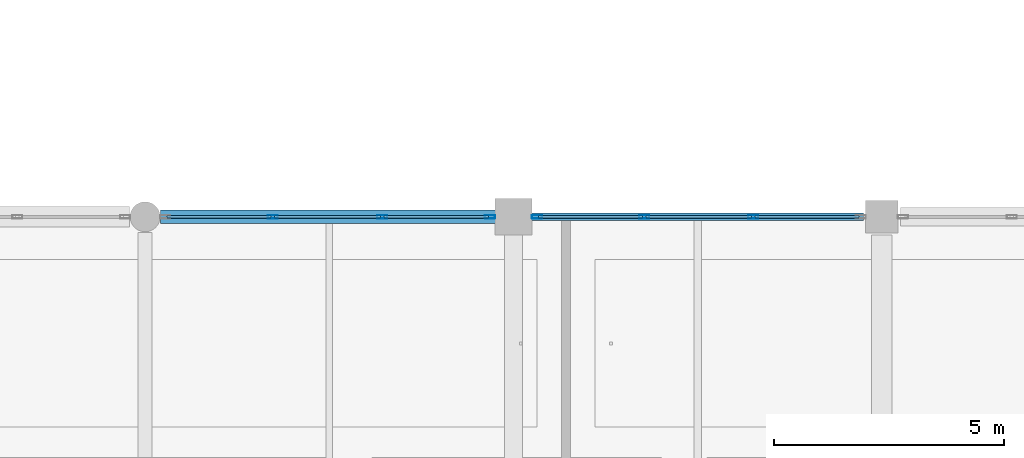
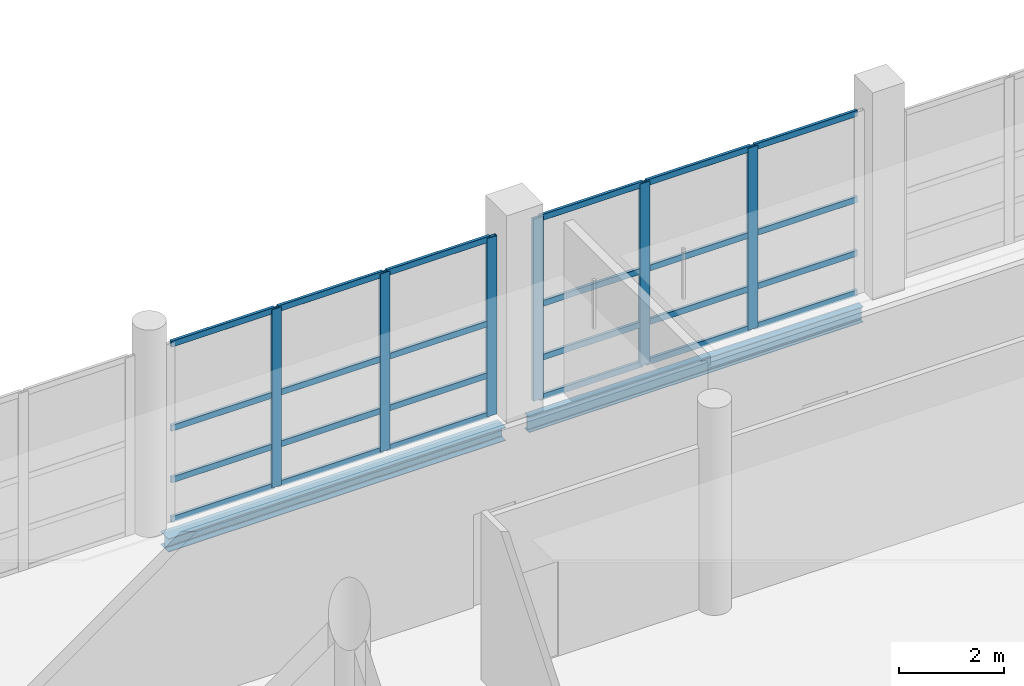
# One storey, part 30 of 141: 30 members, 2 beams, 2 elements without a shape of their own.
"""IFC4 building model written with IfcOpenShell, lengths in metres."""

from ifc_helpers import new_model, si_unit, direction, frame, origin, origin_2d, place, context, subcontext, project, spatial, hollow_rectangle, i_section, extrude, material, material_profile, profile_set, type_object, element, aggregate, save


model = new_model("IFC4")

# Units and contexts
model_context = context("Model", 3, precision=1e-05, world=origin(), true_north=direction((0.0, 1.0)))
body_context = subcontext(model_context, "Body", "Model", "MODEL_VIEW")
ifc_project = project(units=[si_unit("LENGTHUNIT", "METRE"), si_unit("AREAUNIT", "SQUARE_METRE"), si_unit("VOLUMEUNIT", "CUBIC_METRE"), si_unit("PLANEANGLEUNIT", "RADIAN"), si_unit("MASSUNIT", "GRAM", prefix="KILO")], contexts=[model_context])

# Site, building, storey
site_placement = place(None, origin())
site = spatial("IfcSite", under=ifc_project, at=site_placement, CompositionType="ELEMENT")
building_placement = place(site_placement, origin())
building = spatial("IfcBuilding", under=site, at=building_placement, Name="Khelvaren Railside Concert Hall", CompositionType="ELEMENT")
storey_placement = place(building_placement, frame((0.0, 0.0, 10.199951171875)))
storey = spatial("IfcBuildingStorey", under=building, at=storey_placement, Name="L02", CompositionType="ELEMENT", Elevation=10.199951171875)

# Curtain wall, members
ifc_material_1 = material(Name="Double-glazed clear foyer glass", Category="glass")
curtain_wall_type_1 = type_object("IfcCurtainWallType", Name="CW64", PredefinedType="USERDEFINED", material=ifc_material_1)
curtain_wall_1_placement = place(storey_placement, origin())
curtain_wall_1 = element("IfcCurtainWall", 1, at=curtain_wall_1_placement, inside=storey, type_object=curtain_wall_type_1, Name="Unitised Curtain Wall CW-V3-L02-N-80", ObjectType="UNITISED CURTAIN WALL", PredefinedType="USERDEFINED")
ifc_material_2 = material(Name="Anodised architectural aluminium 6063-T6", Category="aluminium")
ifc_material_profile_1 = material_profile(ifc_material_2, hollow_rectangle(XDim=0.074951171875, YDim=0.219970703125, WallThickness=0.0048828125, InnerFilletRadius=0.0029296875, OuterFilletRadius=0.0048828125, at=origin_2d()), Name="CWM 75x220x5")
ifc_profile_set_1 = profile_set([ifc_material_profile_1], Name="Anodised architectural aluminium 6063-T6")
member_type_1 = type_object("IfcMemberType", Name="CWM13", PredefinedType="MULLION", material=ifc_profile_set_1)
member_1_placement = place(storey_placement, frame((82.774169921875, 15.199951171875, 0.0), z_axis=(0.0, 0.0, 1.0), x_axis=(0.0, 1.0, 0.0)))
member_1 = element("IfcMember", 2, at=member_1_placement, type_object=member_type_1, Name="CW64 mullion 2", PredefinedType="MULLION", context=body_context, shape_type="SweptSolid", body=[
    extrude(hollow_rectangle(XDim=0.074951171875, YDim=0.219970703125, WallThickness=0.0048828125, InnerFilletRadius=0.0029296875, OuterFilletRadius=0.0048828125, at=origin_2d()), origin(), (0.0, 0.0, 1.0), 4.130126953125),
])
member_2_placement = place(storey_placement, frame((85.15087890625, 15.199951171875, 0.0), z_axis=(0.0, 0.0, 1.0), x_axis=(0.0, 1.0, 0.0)))
member_2 = element("IfcMember", 3, at=member_2_placement, type_object=member_type_1, Name="CW64 mullion 3", PredefinedType="MULLION", context=body_context, shape_type="SweptSolid", body=[
    extrude(hollow_rectangle(XDim=0.074951171875, YDim=0.219970703125, WallThickness=0.0048828125, InnerFilletRadius=0.0029296875, OuterFilletRadius=0.0048828125, at=origin_2d()), origin(), (0.0, 0.0, 1.0), 4.130126953125),
])
member_3_placement = place(storey_placement, frame((87.489990234375, 15.199951171875, 0.0), z_axis=(0.0, 0.0, 1.0), x_axis=(0.0, 1.0, 0.0)))
member_3 = element("IfcMember", 4, at=member_3_placement, type_object=member_type_1, Name="CW64 mullion 4", PredefinedType="MULLION", context=body_context, shape_type="SweptSolid", body=[
    extrude(hollow_rectangle(XDim=0.074951171875, YDim=0.219970703125, WallThickness=0.0048828125, InnerFilletRadius=0.0029296875, OuterFilletRadius=0.0048828125, at=origin_2d()), origin(), (0.0, 0.0, 1.0), 4.130126953125),
])

curtain_wall_type_2 = type_object("IfcCurtainWallType", Name="CW68", PredefinedType="USERDEFINED", material=ifc_material_1)
curtain_wall_2_placement = place(storey_placement, origin())
curtain_wall_2 = element("IfcCurtainWall", 5, at=curtain_wall_2_placement, inside=storey, type_object=curtain_wall_type_2, Name="Unitised Curtain Wall CW-V3-L02-N-88", ObjectType="UNITISED CURTAIN WALL", PredefinedType="USERDEFINED")
member_4_placement = place(storey_placement, frame((88.510009765625, 15.199951171875, 0.0), z_axis=(0.0, 0.0, 1.0), x_axis=(0.0, 1.0, 0.0)))
member_4 = element("IfcMember", 6, at=member_4_placement, type_object=member_type_1, Name="CW68 mullion 1", PredefinedType="MULLION", context=body_context, shape_type="SweptSolid", body=[
    extrude(hollow_rectangle(XDim=0.074951171875, YDim=0.219970703125, WallThickness=0.0048828125, InnerFilletRadius=0.0029296875, OuterFilletRadius=0.0048828125, at=origin_2d()), origin(), (0.0, 0.0, 1.0), 4.219970703125),
])
member_5_placement = place(storey_placement, frame((90.8408203125, 15.199951171875, 0.0), z_axis=(0.0, 0.0, 1.0), x_axis=(0.0, 1.0, 0.0)))
member_5 = element("IfcMember", 7, at=member_5_placement, type_object=member_type_1, Name="CW68 mullion 2", PredefinedType="MULLION", context=body_context, shape_type="SweptSolid", body=[
    extrude(hollow_rectangle(XDim=0.074951171875, YDim=0.219970703125, WallThickness=0.0048828125, InnerFilletRadius=0.0029296875, OuterFilletRadius=0.0048828125, at=origin_2d()), origin(), (0.0, 0.0, 1.0), 4.219970703125),
])
member_6_placement = place(storey_placement, frame((93.209228515625, 15.199951171875, 0.0), z_axis=(0.0, 0.0, 1.0), x_axis=(0.0, 1.0, 0.0)))
member_6 = element("IfcMember", 8, at=member_6_placement, type_object=member_type_1, Name="CW68 mullion 3", PredefinedType="MULLION", context=body_context, shape_type="SweptSolid", body=[
    extrude(hollow_rectangle(XDim=0.074951171875, YDim=0.219970703125, WallThickness=0.0048828125, InnerFilletRadius=0.0029296875, OuterFilletRadius=0.0048828125, at=origin_2d()), origin(), (0.0, 0.0, 1.0), 4.219970703125),
])

# Member
ifc_material_profile_2 = material_profile(ifc_material_2, hollow_rectangle(XDim=0.06494140625, YDim=0.139892578125, WallThickness=0.00390625, InnerFilletRadius=0.001953125, OuterFilletRadius=0.00390625, at=origin_2d()), Name="CWT 65x140x4")
ifc_profile_set_2 = profile_set([ifc_material_profile_2], Name="Anodised architectural aluminium 6063-T6")
member_type_2 = type_object("IfcMemberType", Name="CWT72", PredefinedType="USERDEFINED", material=ifc_profile_set_2)
member_7_placement = place(storey_placement, frame((80.472412109375, 15.199951171875, 0.032470703125), z_axis=(1.0, 0.0, 0.0), x_axis=(0.0, 1.0, 0.0)))
member_7 = element("IfcMember", 9, at=member_7_placement, type_object=member_type_2, Name="CW64 transom 1.1", ObjectType="TRANSOM", PredefinedType="USERDEFINED", context=body_context, shape_type="SweptSolid", body=[
    extrude(hollow_rectangle(XDim=0.06494140625, YDim=0.139892578125, WallThickness=0.00390625, InnerFilletRadius=0.001953125, OuterFilletRadius=0.00390625, at=origin_2d()), origin(), (0.0, 0.0, 1.0), 2.26416015625),
])

member_8_placement = place(storey_placement, frame((80.472412109375, 15.199951171875, 0.949951171875), z_axis=(1.0, 0.0, 0.0), x_axis=(0.0, 1.0, 0.0)))
member_8 = element("IfcMember", 10, at=member_8_placement, type_object=member_type_2, Name="CW64 transom 1.2", ObjectType="TRANSOM", PredefinedType="USERDEFINED", context=body_context, shape_type="SweptSolid", body=[
    extrude(hollow_rectangle(XDim=0.06494140625, YDim=0.139892578125, WallThickness=0.00390625, InnerFilletRadius=0.001953125, OuterFilletRadius=0.00390625, at=origin_2d()), origin(), (0.0, 0.0, 1.0), 2.26416015625),
])

member_9_placement = place(storey_placement, frame((80.472412109375, 15.199951171875, 2.147705078125), z_axis=(1.0, 0.0, 0.0), x_axis=(0.0, 1.0, 0.0)))
member_9 = element("IfcMember", 11, at=member_9_placement, type_object=member_type_2, Name="CW64 transom 1.3", ObjectType="TRANSOM", PredefinedType="USERDEFINED", context=body_context, shape_type="SweptSolid", body=[
    extrude(hollow_rectangle(XDim=0.06494140625, YDim=0.139892578125, WallThickness=0.00390625, InnerFilletRadius=0.001953125, OuterFilletRadius=0.00390625, at=origin_2d()), origin(), (0.0, 0.0, 1.0), 2.26416015625),
])

member_10_placement = place(storey_placement, frame((80.472412109375, 15.199951171875, 4.09765625), z_axis=(1.0, 0.0, 0.0), x_axis=(0.0, 1.0, 0.0)))
member_10 = element("IfcMember", 12, at=member_10_placement, type_object=member_type_2, Name="CW64 transom 1.4", ObjectType="TRANSOM", PredefinedType="USERDEFINED", context=body_context, shape_type="SweptSolid", body=[
    extrude(hollow_rectangle(XDim=0.06494140625, YDim=0.139892578125, WallThickness=0.00390625, InnerFilletRadius=0.001953125, OuterFilletRadius=0.00390625, at=origin_2d()), origin(), (0.0, 0.0, 1.0), 2.26416015625),
])

member_11_placement = place(storey_placement, frame((82.811767578125, 15.199951171875, 0.032470703125), z_axis=(1.0, 0.0, 0.0), x_axis=(0.0, 1.0, 0.0)))
member_11 = element("IfcMember", 13, at=member_11_placement, type_object=member_type_2, Name="CW64 transom 2.1", ObjectType="TRANSOM", PredefinedType="USERDEFINED", context=body_context, shape_type="SweptSolid", body=[
    extrude(hollow_rectangle(XDim=0.06494140625, YDim=0.139892578125, WallThickness=0.00390625, InnerFilletRadius=0.001953125, OuterFilletRadius=0.00390625, at=origin_2d()), origin(), (0.0, 0.0, 1.0), 2.301513671875),
])

member_12_placement = place(storey_placement, frame((82.811767578125, 15.199951171875, 0.949951171875), z_axis=(1.0, 0.0, 0.0), x_axis=(0.0, 1.0, 0.0)))
member_12 = element("IfcMember", 14, at=member_12_placement, type_object=member_type_2, Name="CW64 transom 2.2", ObjectType="TRANSOM", PredefinedType="USERDEFINED", context=body_context, shape_type="SweptSolid", body=[
    extrude(hollow_rectangle(XDim=0.06494140625, YDim=0.139892578125, WallThickness=0.00390625, InnerFilletRadius=0.001953125, OuterFilletRadius=0.00390625, at=origin_2d()), origin(), (0.0, 0.0, 1.0), 2.301513671875),
])

member_13_placement = place(storey_placement, frame((82.811767578125, 15.199951171875, 2.147705078125), z_axis=(1.0, 0.0, 0.0), x_axis=(0.0, 1.0, 0.0)))
member_13 = element("IfcMember", 15, at=member_13_placement, type_object=member_type_2, Name="CW64 transom 2.3", ObjectType="TRANSOM", PredefinedType="USERDEFINED", context=body_context, shape_type="SweptSolid", body=[
    extrude(hollow_rectangle(XDim=0.06494140625, YDim=0.139892578125, WallThickness=0.00390625, InnerFilletRadius=0.001953125, OuterFilletRadius=0.00390625, at=origin_2d()), origin(), (0.0, 0.0, 1.0), 2.301513671875),
])

member_14_placement = place(storey_placement, frame((82.811767578125, 15.199951171875, 4.09765625), z_axis=(1.0, 0.0, 0.0), x_axis=(0.0, 1.0, 0.0)))
member_14 = element("IfcMember", 16, at=member_14_placement, type_object=member_type_2, Name="CW64 transom 2.4", ObjectType="TRANSOM", PredefinedType="USERDEFINED", context=body_context, shape_type="SweptSolid", body=[
    extrude(hollow_rectangle(XDim=0.06494140625, YDim=0.139892578125, WallThickness=0.00390625, InnerFilletRadius=0.001953125, OuterFilletRadius=0.00390625, at=origin_2d()), origin(), (0.0, 0.0, 1.0), 2.301513671875),
])

member_15_placement = place(storey_placement, frame((85.188232421875, 15.199951171875, 0.032470703125), z_axis=(1.0, 0.0, 0.0), x_axis=(0.0, 1.0, 0.0)))
member_15 = element("IfcMember", 17, at=member_15_placement, type_object=member_type_2, Name="CW64 transom 3.1", ObjectType="TRANSOM", PredefinedType="USERDEFINED", context=body_context, shape_type="SweptSolid", body=[
    extrude(hollow_rectangle(XDim=0.06494140625, YDim=0.139892578125, WallThickness=0.00390625, InnerFilletRadius=0.001953125, OuterFilletRadius=0.00390625, at=origin_2d()), origin(), (0.0, 0.0, 1.0), 2.26416015625),
])

member_16_placement = place(storey_placement, frame((85.188232421875, 15.199951171875, 0.949951171875), z_axis=(1.0, 0.0, 0.0), x_axis=(0.0, 1.0, 0.0)))
member_16 = element("IfcMember", 18, at=member_16_placement, type_object=member_type_2, Name="CW64 transom 3.2", ObjectType="TRANSOM", PredefinedType="USERDEFINED", context=body_context, shape_type="SweptSolid", body=[
    extrude(hollow_rectangle(XDim=0.06494140625, YDim=0.139892578125, WallThickness=0.00390625, InnerFilletRadius=0.001953125, OuterFilletRadius=0.00390625, at=origin_2d()), origin(), (0.0, 0.0, 1.0), 2.26416015625),
])

member_17_placement = place(storey_placement, frame((85.188232421875, 15.199951171875, 2.147705078125), z_axis=(1.0, 0.0, 0.0), x_axis=(0.0, 1.0, 0.0)))
member_17 = element("IfcMember", 19, at=member_17_placement, type_object=member_type_2, Name="CW64 transom 3.3", ObjectType="TRANSOM", PredefinedType="USERDEFINED", context=body_context, shape_type="SweptSolid", body=[
    extrude(hollow_rectangle(XDim=0.06494140625, YDim=0.139892578125, WallThickness=0.00390625, InnerFilletRadius=0.001953125, OuterFilletRadius=0.00390625, at=origin_2d()), origin(), (0.0, 0.0, 1.0), 2.26416015625),
])

member_18_placement = place(storey_placement, frame((85.188232421875, 15.199951171875, 4.09765625), z_axis=(1.0, 0.0, 0.0), x_axis=(0.0, 1.0, 0.0)))
member_18 = element("IfcMember", 20, at=member_18_placement, type_object=member_type_2, Name="CW64 transom 3.4", ObjectType="TRANSOM", PredefinedType="USERDEFINED", context=body_context, shape_type="SweptSolid", body=[
    extrude(hollow_rectangle(XDim=0.06494140625, YDim=0.139892578125, WallThickness=0.00390625, InnerFilletRadius=0.001953125, OuterFilletRadius=0.00390625, at=origin_2d()), origin(), (0.0, 0.0, 1.0), 2.26416015625),
])

aggregate(curtain_wall_1, [member_1, member_2, member_3, member_7, member_8, member_9, member_10, member_11, member_12, member_13, member_14, member_15, member_16, member_17, member_18])

member_19_placement = place(storey_placement, frame((88.547607421875, 15.199951171875, 0.032470703125), z_axis=(1.0, 0.0, 0.0), x_axis=(0.0, 1.0, 0.0)))
member_19 = element("IfcMember", 21, at=member_19_placement, type_object=member_type_2, Name="CW68 transom 1.1", ObjectType="TRANSOM", PredefinedType="USERDEFINED", context=body_context, shape_type="SweptSolid", body=[
    extrude(hollow_rectangle(XDim=0.06494140625, YDim=0.139892578125, WallThickness=0.00390625, InnerFilletRadius=0.001953125, OuterFilletRadius=0.00390625, at=origin_2d()), origin(), (0.0, 0.0, 1.0), 2.255615234375),
])

member_20_placement = place(storey_placement, frame((88.547607421875, 15.199951171875, 0.949951171875), z_axis=(1.0, 0.0, 0.0), x_axis=(0.0, 1.0, 0.0)))
member_20 = element("IfcMember", 22, at=member_20_placement, type_object=member_type_2, Name="CW68 transom 1.2", ObjectType="TRANSOM", PredefinedType="USERDEFINED", context=body_context, shape_type="SweptSolid", body=[
    extrude(hollow_rectangle(XDim=0.06494140625, YDim=0.139892578125, WallThickness=0.00390625, InnerFilletRadius=0.001953125, OuterFilletRadius=0.00390625, at=origin_2d()), origin(), (0.0, 0.0, 1.0), 2.255615234375),
])

member_21_placement = place(storey_placement, frame((88.547607421875, 15.199951171875, 2.1943359375), z_axis=(1.0, 0.0, 0.0), x_axis=(0.0, 1.0, 0.0)))
member_21 = element("IfcMember", 23, at=member_21_placement, type_object=member_type_2, Name="CW68 transom 1.3", ObjectType="TRANSOM", PredefinedType="USERDEFINED", context=body_context, shape_type="SweptSolid", body=[
    extrude(hollow_rectangle(XDim=0.06494140625, YDim=0.139892578125, WallThickness=0.00390625, InnerFilletRadius=0.001953125, OuterFilletRadius=0.00390625, at=origin_2d()), origin(), (0.0, 0.0, 1.0), 2.255615234375),
])

member_22_placement = place(storey_placement, frame((88.547607421875, 15.199951171875, 4.1875), z_axis=(1.0, 0.0, 0.0), x_axis=(0.0, 1.0, 0.0)))
member_22 = element("IfcMember", 24, at=member_22_placement, type_object=member_type_2, Name="CW68 transom 1.4", ObjectType="TRANSOM", PredefinedType="USERDEFINED", context=body_context, shape_type="SweptSolid", body=[
    extrude(hollow_rectangle(XDim=0.06494140625, YDim=0.139892578125, WallThickness=0.00390625, InnerFilletRadius=0.001953125, OuterFilletRadius=0.00390625, at=origin_2d()), origin(), (0.0, 0.0, 1.0), 2.255615234375),
])

member_23_placement = place(storey_placement, frame((90.87841796875, 15.199951171875, 0.032470703125), z_axis=(1.0, 0.0, 0.0), x_axis=(0.0, 1.0, 0.0)))
member_23 = element("IfcMember", 25, at=member_23_placement, type_object=member_type_2, Name="CW68 transom 2.1", ObjectType="TRANSOM", PredefinedType="USERDEFINED", context=body_context, shape_type="SweptSolid", body=[
    extrude(hollow_rectangle(XDim=0.06494140625, YDim=0.139892578125, WallThickness=0.00390625, InnerFilletRadius=0.001953125, OuterFilletRadius=0.00390625, at=origin_2d()), origin(), (0.0, 0.0, 1.0), 2.293212890625),
])

member_24_placement = place(storey_placement, frame((90.87841796875, 15.199951171875, 0.949951171875), z_axis=(1.0, 0.0, 0.0), x_axis=(0.0, 1.0, 0.0)))
member_24 = element("IfcMember", 26, at=member_24_placement, type_object=member_type_2, Name="CW68 transom 2.2", ObjectType="TRANSOM", PredefinedType="USERDEFINED", context=body_context, shape_type="SweptSolid", body=[
    extrude(hollow_rectangle(XDim=0.06494140625, YDim=0.139892578125, WallThickness=0.00390625, InnerFilletRadius=0.001953125, OuterFilletRadius=0.00390625, at=origin_2d()), origin(), (0.0, 0.0, 1.0), 2.293212890625),
])

member_25_placement = place(storey_placement, frame((90.87841796875, 15.199951171875, 2.1943359375), z_axis=(1.0, 0.0, 0.0), x_axis=(0.0, 1.0, 0.0)))
member_25 = element("IfcMember", 27, at=member_25_placement, type_object=member_type_2, Name="CW68 transom 2.3", ObjectType="TRANSOM", PredefinedType="USERDEFINED", context=body_context, shape_type="SweptSolid", body=[
    extrude(hollow_rectangle(XDim=0.06494140625, YDim=0.139892578125, WallThickness=0.00390625, InnerFilletRadius=0.001953125, OuterFilletRadius=0.00390625, at=origin_2d()), origin(), (0.0, 0.0, 1.0), 2.293212890625),
])

member_26_placement = place(storey_placement, frame((90.87841796875, 15.199951171875, 4.1875), z_axis=(1.0, 0.0, 0.0), x_axis=(0.0, 1.0, 0.0)))
member_26 = element("IfcMember", 28, at=member_26_placement, type_object=member_type_2, Name="CW68 transom 2.4", ObjectType="TRANSOM", PredefinedType="USERDEFINED", context=body_context, shape_type="SweptSolid", body=[
    extrude(hollow_rectangle(XDim=0.06494140625, YDim=0.139892578125, WallThickness=0.00390625, InnerFilletRadius=0.001953125, OuterFilletRadius=0.00390625, at=origin_2d()), origin(), (0.0, 0.0, 1.0), 2.293212890625),
])

member_27_placement = place(storey_placement, frame((93.24658203125, 15.199951171875, 0.032470703125), z_axis=(1.0, 0.0, 0.0), x_axis=(0.0, 1.0, 0.0)))
member_27 = element("IfcMember", 29, at=member_27_placement, type_object=member_type_2, Name="CW68 transom 3.1", ObjectType="TRANSOM", PredefinedType="USERDEFINED", context=body_context, shape_type="SweptSolid", body=[
    extrude(hollow_rectangle(XDim=0.06494140625, YDim=0.139892578125, WallThickness=0.00390625, InnerFilletRadius=0.001953125, OuterFilletRadius=0.00390625, at=origin_2d()), origin(), (0.0, 0.0, 1.0), 2.255859375),
])

member_28_placement = place(storey_placement, frame((93.24658203125, 15.199951171875, 0.949951171875), z_axis=(1.0, 0.0, 0.0), x_axis=(0.0, 1.0, 0.0)))
member_28 = element("IfcMember", 30, at=member_28_placement, type_object=member_type_2, Name="CW68 transom 3.2", ObjectType="TRANSOM", PredefinedType="USERDEFINED", context=body_context, shape_type="SweptSolid", body=[
    extrude(hollow_rectangle(XDim=0.06494140625, YDim=0.139892578125, WallThickness=0.00390625, InnerFilletRadius=0.001953125, OuterFilletRadius=0.00390625, at=origin_2d()), origin(), (0.0, 0.0, 1.0), 2.255859375),
])

member_29_placement = place(storey_placement, frame((93.24658203125, 15.199951171875, 2.1943359375), z_axis=(1.0, 0.0, 0.0), x_axis=(0.0, 1.0, 0.0)))
member_29 = element("IfcMember", 31, at=member_29_placement, type_object=member_type_2, Name="CW68 transom 3.3", ObjectType="TRANSOM", PredefinedType="USERDEFINED", context=body_context, shape_type="SweptSolid", body=[
    extrude(hollow_rectangle(XDim=0.06494140625, YDim=0.139892578125, WallThickness=0.00390625, InnerFilletRadius=0.001953125, OuterFilletRadius=0.00390625, at=origin_2d()), origin(), (0.0, 0.0, 1.0), 2.255859375),
])

member_30_placement = place(storey_placement, frame((93.24658203125, 15.199951171875, 4.1875), z_axis=(1.0, 0.0, 0.0), x_axis=(0.0, 1.0, 0.0)))
member_30 = element("IfcMember", 32, at=member_30_placement, type_object=member_type_2, Name="CW68 transom 3.4", ObjectType="TRANSOM", PredefinedType="USERDEFINED", context=body_context, shape_type="SweptSolid", body=[
    extrude(hollow_rectangle(XDim=0.06494140625, YDim=0.139892578125, WallThickness=0.00390625, InnerFilletRadius=0.001953125, OuterFilletRadius=0.00390625, at=origin_2d()), origin(), (0.0, 0.0, 1.0), 2.255859375),
])

aggregate(curtain_wall_2, [member_4, member_5, member_6, member_19, member_20, member_21, member_22, member_23, member_24, member_25, member_26, member_27, member_28, member_29, member_30])

# Beams
ifc_material_3 = material(Name="Steel S355", Category="steel")
ifc_material_profile_3 = material_profile(ifc_material_3, i_section(OverallWidth=0.300048828125, OverallDepth=0.31005859375, WebThickness=0.009033203125, FlangeThickness=0.015380859375, FilletRadius=0.027099609375, at=origin_2d()), Name="HEA 320")
ifc_profile_set_3 = profile_set([ifc_material_profile_3], Name="Steel S355")
beam_type_1 = type_object("IfcBeamType", Name="SP66", PredefinedType="SPANDREL", material=ifc_profile_set_3)
beam_1_placement = place(storey_placement, frame((80.3359375, 15.199951171875, -0.445068359375), z_axis=(1.0, 0.0, 0.0), x_axis=(0.0, 1.0, 0.0)))
element("IfcBeam", 33, at=beam_1_placement, inside=storey, type_object=beam_type_1, Name="V3 L02 Spandrel X3.3", PredefinedType="SPANDREL", context=body_context, shape_type="SweptSolid", body=[
    extrude(i_section(OverallWidth=0.300048828125, OverallDepth=0.31005859375, WebThickness=0.009033203125, FlangeThickness=0.015380859375, FilletRadius=0.027099609375, at=origin_2d()), origin(), (0.0, 0.0, 1.0), 7.39111328125),
])
ifc_material_profile_4 = material_profile(ifc_material_3, i_section(OverallWidth=0.169921875, OverallDepth=0.360107421875, WebThickness=0.008056640625, FlangeThickness=0.0126953125, FilletRadius=0.01806640625, at=origin_2d()), Name="IPE 360")
ifc_profile_set_4 = profile_set([ifc_material_profile_4], Name="Steel S355")
beam_type_2 = type_object("IfcBeamType", Name="SP74", PredefinedType="SPANDREL", material=ifc_profile_set_4)
beam_2_placement = place(storey_placement, frame((88.27294921875, 15.199951171875, -0.469970703125), z_axis=(1.0, 0.0, 0.0), x_axis=(0.0, 1.0, 0.0)))
element("IfcBeam", 34, at=beam_2_placement, inside=storey, type_object=beam_type_2, Name="V3 L02 Spandrel X3.4", PredefinedType="SPANDREL", context=body_context, shape_type="SweptSolid", body=[
    extrude(i_section(OverallWidth=0.169921875, OverallDepth=0.360107421875, WebThickness=0.008056640625, FlangeThickness=0.0126953125, FilletRadius=0.01806640625, at=origin_2d()), origin(), (0.0, 0.0, 1.0), 7.3271484375),
])

save(model, "model.ifc")
